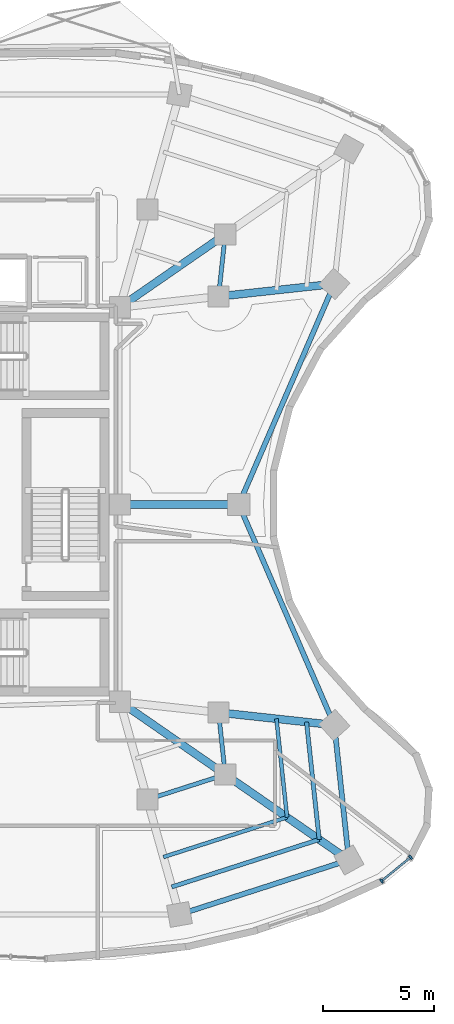
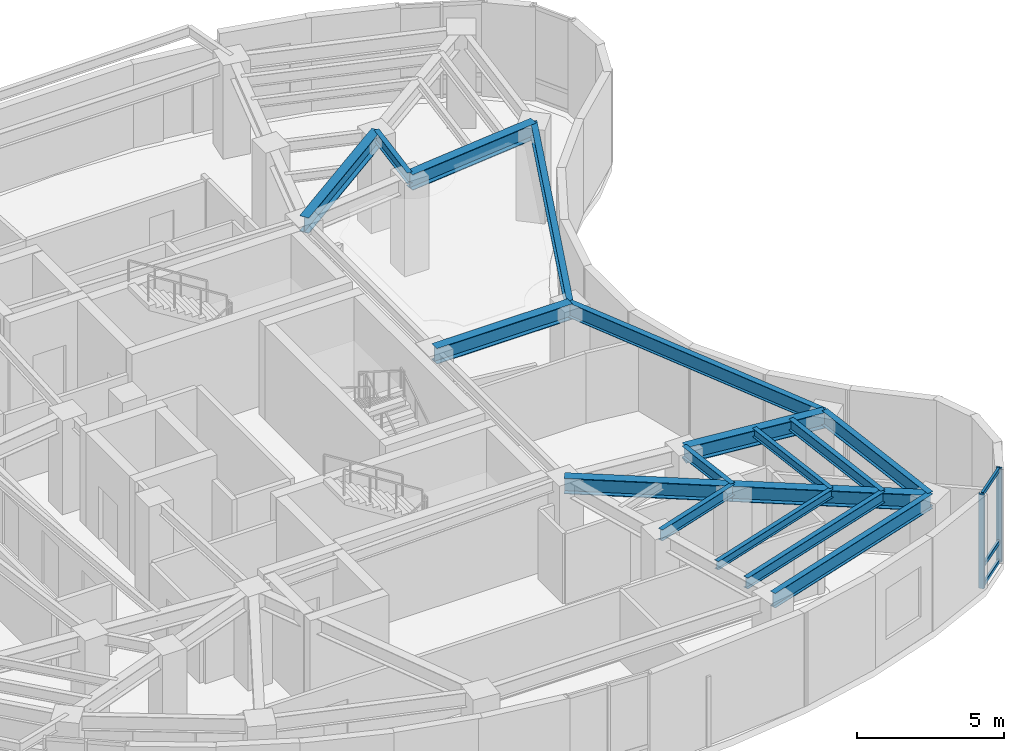
# One storey, part 4 of 12: 17 beams, 5 members, 1 element without a shape of its own.
"""IFC4 building model written with IfcOpenShell, lengths in metres."""

import ifcopenshell
import ifcopenshell.guid

model = None  # the IFC model being written
_history = None  # IfcOwnerHistory: only IFC2X3 demands one
_inside = {}  # id of a spatial element -> (the spatial element, [elements in it])
_under = {}  # id of a project, library or spatial element -> (it, [spatial elements below it])
_declared = {}  # id of a project -> (the project, [libraries it declares])
_typed = {}  # id of a type object -> (the type object, [elements of that type])
_made_of = {}  # id of a material, layer set ... -> (it, [elements and type objects made of it])


def new_model(schema):
    """Start an empty IFC model of exactly this schema.

    Asked for "IFC4X3", IfcOpenShell would pick the latest addendum, in which some entities
    have other attributes; the version numbers below select the first issue.
    IFC2X3 requires an IfcOwnerHistory on every rooted entity: one is made here for all.
    """
    global model, _history
    if schema == "IFC4X3":
        model = ifcopenshell.file(schema_version=(4, 3, 0, 0))
    else:
        model = ifcopenshell.file(schema=schema)
    _inside.clear()
    _under.clear()
    _declared.clear()
    _typed.clear()
    _made_of.clear()
    _history = None
    if model.schema == "IFC2X3":
        org = make("IfcOrganization", Name="unknown")
        user = make(
            "IfcPersonAndOrganization",
            ThePerson=make("IfcPerson", FamilyName="unknown"),
            TheOrganization=org,
        )
        app = make(
            "IfcApplication",
            ApplicationDeveloper=org,
            Version="unknown",
            ApplicationFullName="unknown",
            ApplicationIdentifier="unknown",
        )
        _history = make(
            "IfcOwnerHistory",
            OwningUser=user,
            OwningApplication=app,
            ChangeAction="ADDED",
            CreationDate=0,
        )
    return model


def make(cls, **values):
    """One entity of the class cls with the attributes given. An attribute that is None is left unset."""
    return model.create_entity(
        cls, **{name: value for name, value in values.items() if value is not None}
    )


def rooted(cls, **values):
    """An entity with a GlobalId (a new one), such as an element, a storey or a relation."""
    return make(cls, GlobalId=ifcopenshell.guid.new(), OwnerHistory=_history, **values)


def si_unit(unit_type, name, prefix=None):
    """IfcSIUnit, for example si_unit("LENGTHUNIT", "METRE", prefix="MILLI")."""
    return make("IfcSIUnit", UnitType=unit_type, Prefix=prefix, Name=name)


def assignment(units):
    """IfcUnitAssignment: the units of a project."""
    return None if units is None else make("IfcUnitAssignment", Units=units)


def point(xyz):
    """IfcCartesianPoint."""
    return None if xyz is None else make("IfcCartesianPoint", Coordinates=xyz)


def direction(xyz):
    """IfcDirection."""
    return None if xyz is None else make("IfcDirection", DirectionRatios=xyz)


def frame(location, z_axis=None, x_axis=None):
    """IfcAxis2Placement3D, a coordinate frame: its origin and axes. An axis left out is left unset."""
    return make(
        "IfcAxis2Placement3D",
        Location=point(location),
        Axis=direction(z_axis),
        RefDirection=direction(x_axis),
    )


def frame_2d(location, x_axis=None):
    """IfcAxis2Placement2D, a coordinate frame in the plane: its origin and x axis."""
    return make(
        "IfcAxis2Placement2D", Location=point(location), RefDirection=direction(x_axis)
    )


def origin():
    """The frame at (0, 0, 0) with its axes left unset."""
    return frame((0.0, 0.0, 0.0))


def origin_2d():
    """The frame at (0, 0) in the plane with its x axis left unset."""
    return frame_2d((0.0, 0.0))


def place(relative_to, where):
    """IfcLocalPlacement: puts the frame where relative to a parent placement (None: the world)."""
    return make(
        "IfcLocalPlacement", PlacementRelTo=relative_to, RelativePlacement=where
    )


def context(
    kind, dimensions, precision=None, world=None, true_north=None, identifier=None
):
    """IfcGeometricRepresentationContext, for example the 3D "Model" context."""
    return make(
        "IfcGeometricRepresentationContext",
        ContextIdentifier=identifier,
        ContextType=kind,
        CoordinateSpaceDimension=dimensions,
        Precision=precision,
        WorldCoordinateSystem=world,
        TrueNorth=true_north,
    )


def subcontext(parent, identifier, kind, view, scale=None):
    """IfcGeometricRepresentationSubContext, for example "Body" below "Model"."""
    return make(
        "IfcGeometricRepresentationSubContext",
        ContextIdentifier=identifier,
        ContextType=kind,
        ParentContext=parent,
        TargetScale=scale,
        TargetView=view,
    )


def project(units=None, contexts=None):
    """IfcProject with its units and contexts."""
    return rooted(
        "IfcProject",
        Name="project",
        RepresentationContexts=contexts,
        UnitsInContext=assignment(units),
    )


def spatial(cls, under=None, at=None, **own):
    """A site, building, storey or space (cls), placed at a placement, below another one or the project."""
    s = rooted(cls, ObjectPlacement=at, **own)
    if under is not None:
        _under.setdefault(under.id(), (under, []))[1].append(s)
    return s


def profile(cls, at=None, kind="AREA", **sizes):
    """A parametric profile (cls). Its sizes go by their IFC names, for example OverallWidth=200.0."""
    return make(cls, ProfileType=kind, Position=at, **sizes)


def rectangle(**sizes):
    """IfcRectangleProfileDef."""
    return profile("IfcRectangleProfileDef", **sizes)


def i_section(**sizes):
    """IfcIShapeProfileDef."""
    return profile("IfcIShapeProfileDef", **sizes)


def extrude(swept, where, along, depth):
    """IfcExtrudedAreaSolid: the profile swept, set in the frame where, extruded along a direction by depth."""
    return make(
        "IfcExtrudedAreaSolid",
        SweptArea=swept,
        Position=where,
        ExtrudedDirection=direction(along),
        Depth=depth,
    )


def shape(context_of_items, identifier, shape_type, items):
    """IfcShapeRepresentation: the items that make up one representation, for example the "Body"."""
    return make(
        "IfcShapeRepresentation",
        ContextOfItems=context_of_items,
        RepresentationIdentifier=identifier,
        RepresentationType=shape_type,
        Items=items,
    )


def material(Name=None, Category=None):
    """IfcMaterial."""
    return make("IfcMaterial", Name=Name, Category=Category)


def layer(
    of_material, thickness, ventilated=None, Name=None, Category=None, Priority=None
):
    """IfcMaterialLayer: one layer of a wall or slab, of a material (None: an air gap)."""
    return make(
        "IfcMaterialLayer",
        Material=of_material,
        LayerThickness=thickness,
        IsVentilated=ventilated,
        Name=Name,
        Category=Category,
        Priority=Priority,
    )


def layer_set(layers, Name=None):
    """IfcMaterialLayerSet."""
    return make("IfcMaterialLayerSet", MaterialLayers=layers, LayerSetName=Name)


def material_profile(
    of_material, cross_section, Name=None, Category=None, Priority=None
):
    """IfcMaterialProfile: a cross section and its material."""
    return make(
        "IfcMaterialProfile",
        Name=Name,
        Material=of_material,
        Profile=cross_section,
        Priority=Priority,
        Category=Category,
    )


def profile_set(profiles, Name=None, composite=None):
    """IfcMaterialProfileSet."""
    return make(
        "IfcMaterialProfileSet",
        Name=Name,
        MaterialProfiles=profiles,
        CompositeProfile=composite,
    )


def made_of(thing, what):
    """Note that an element or type object is made of a material, layer set ...; save() writes the relation."""
    if what is not None:
        _made_of.setdefault(what.id(), (what, []))[1].append(thing)
    return thing


def type_object(cls, material=None, **own):
    """A type object (cls), such as IfcWallType, which elements share."""
    return made_of(rooted(cls, **own), material)


def element(
    cls,
    number,
    at=None,
    inside=None,
    cuts=None,
    type_object=None,
    material=None,
    context=None,
    identifier="Body",
    shape_type=None,
    held_by="IfcProductDefinitionShape",
    body=None,
    shapes=None,
    **own,
):
    """One element of the class cls, such as IfcWall. Its Tag is "e" and its number.

    at: its placement. inside: the storey or other place that contains it. cuts: it is an
    opening in that element (IfcRelVoidsElement). A single representation is given by context,
    identifier, shape_type and body (its items); several are given by shapes. held_by: the class
    of the entity that holds the representations. save() writes the other relations.
    """
    e = rooted(cls, Tag="e%d" % number, ObjectPlacement=at, **own)
    if body is not None:
        shapes = [shape(context, identifier, shape_type, body)]
    if shapes is not None:
        e.Representation = make(held_by, Representations=shapes)
    if inside is not None:
        _inside.setdefault(inside.id(), (inside, []))[1].append(e)
    if cuts is not None:
        rooted(
            "IfcRelVoidsElement", RelatingBuildingElement=cuts, RelatedOpeningElement=e
        )
    if type_object is not None:
        _typed.setdefault(type_object.id(), (type_object, []))[1].append(e)
    return made_of(e, material)


def aggregate(whole, parts):
    """IfcRelAggregates: a whole, such as a stair, and the parts it consists of."""
    return rooted("IfcRelAggregates", RelatingObject=whole, RelatedObjects=parts)


def save(model, path):
    """Write the relations noted so far, then the file.

    IfcRelAggregates (storeys below a building ...), IfcRelContainedInSpatialStructure (elements
    in a storey), IfcRelDefinesByType, IfcRelAssociatesMaterial and IfcRelDeclares: one each for
    every whole, place, type object, material and project.
    """
    for whole, parts in _under.values():
        aggregate(whole, parts)
    for where, things in _inside.values():
        rooted(
            "IfcRelContainedInSpatialStructure",
            RelatedElements=things,
            RelatingStructure=where,
        )
    for kind, things in _typed.values():
        rooted("IfcRelDefinesByType", RelatedObjects=things, RelatingType=kind)
    for what, things in _made_of.values():
        rooted("IfcRelAssociatesMaterial", RelatedObjects=things, RelatingMaterial=what)
    for by, libraries in _declared.values():
        rooted("IfcRelDeclares", RelatingContext=by, RelatedDefinitions=libraries)
    model.write(path)


model = new_model("IFC4")

# Units and contexts
model_context = context("Model", 3, precision=1e-05, world=origin(), true_north=direction((0.0, 1.0)))
body_context = subcontext(model_context, "Body", "Model", "MODEL_VIEW")
ifc_project = project(units=[si_unit("LENGTHUNIT", "METRE"), si_unit("AREAUNIT", "SQUARE_METRE"), si_unit("VOLUMEUNIT", "CUBIC_METRE"), si_unit("PLANEANGLEUNIT", "RADIAN"), si_unit("MASSUNIT", "GRAM", prefix="KILO")], contexts=[model_context])

# Site, building, storey
site_placement = place(None, origin())
site = spatial("IfcSite", under=ifc_project, at=site_placement, CompositionType="ELEMENT")
building_placement = place(site_placement, origin())
building = spatial("IfcBuilding", under=site, at=building_placement, Name="Korentha Bioscience Tower", CompositionType="ELEMENT")
storey_placement = place(building_placement, frame((0.0, 0.0, 179.39990234375)))
storey = spatial("IfcBuildingStorey", under=building, at=storey_placement, Name="L41", CompositionType="ELEMENT", Elevation=179.39990234375)

# Beams
ifc_material_1 = material(Name="Steel S355", Category="steel")
ifc_material_profile_1 = material_profile(ifc_material_1, i_section(OverallWidth=0.18994140625, OverallDepth=0.45703125, WebThickness=0.009033203125, FlangeThickness=0.014404296875, at=origin_2d()), Name="Steel S355")
ifc_profile_set_1 = profile_set([ifc_material_profile_1], Name="Steel S355 (MB-460)")
beam_type_1 = type_object("IfcBeamType", Name="Mid-Ring Tie Girder W460x74", PredefinedType="BEAM", material=ifc_profile_set_1)
beam_1_placement = place(storey_placement, frame((38.77880859375, 13.7587890625, 3.671630859375), z_axis=(0.952000195343, 0.306097415976, 0.0), x_axis=(-0.306097415976, 0.952000195343, 0.0)))
element("IfcBeam", 1, at=beam_1_placement, inside=storey, type_object=beam_type_1, Name="L41 Mid-Ring Tie Girder 12", PredefinedType="BEAM", context=body_context, shape_type="SweptSolid", body=[
    extrude(i_section(OverallWidth=0.18994140625, OverallDepth=0.45703125, WebThickness=0.009033203125, FlangeThickness=0.014404296875, at=origin_2d()), origin(), (0.0, 0.0, 1.0), 3.672119140625),
])
for number, where, z_axis, x_axis, name in (
    (2, (42.274658203125, 14.8828125, 3.671630859375), (-0.107283940056, 0.99422842255, 0.0), (-0.99422842255, -0.107283940056, 0.0), "L41 Mid-Ring Tie Girder 13"),
    (3, (41.97412109375, 36.33203125, 3.671630859375), (0.107283940056, 0.99422842255, 0.0), (-0.99422842255, 0.107283940056, 0.0), "L41 Mid-Ring Tie Girder 16"),
):
    element("IfcBeam", number, at=place(storey_placement, frame(where, z_axis=z_axis, x_axis=x_axis)), inside=storey, type_object=beam_type_1, Name=name, PredefinedType="BEAM", context=body_context, shape_type="SweptSolid", body=[
        extrude(i_section(OverallWidth=0.18994140625, OverallDepth=0.45703125, WebThickness=0.009033203125, FlangeThickness=0.014404296875, at=origin_2d()), origin(), (0.0, 0.0, 1.0), 2.80126953125),
    ])

# Curtain wall, members
ifc_material_2 = material(Name="Thermally Broken Aluminium Frame", Category="aluminium")
ifc_layer = layer(ifc_material_2, 0.219970703125, Name="Thermally Broken Aluminium Frame")
ifc_layer_set = layer_set([ifc_layer], Name="Thermally Broken Aluminium Frame (CW-T1)")
curtain_wall_type = type_object("IfcCurtainWallType", Name="Standard Bioscience Lab Unitised Curtain Wall CW-T1", PredefinedType="USERDEFINED", material=ifc_layer_set)
curtain_wall_placement = place(storey_placement, origin())
curtain_wall = element("IfcCurtainWall", 4, at=curtain_wall_placement, inside=storey, type_object=curtain_wall_type, Name="L41 Curtain Wall 37", ObjectType="UNITISED", PredefinedType="USERDEFINED")
ifc_material_3 = material(Name="Anodised Aluminium 6063-T6", Category="aluminium")
ifc_material_profile_2 = material_profile(ifc_material_3, rectangle(XDim=0.090087890625, YDim=0.199951171875, at=origin_2d()), Name="Anodised Aluminium 6063-T6")
ifc_profile_set_2 = profile_set([ifc_material_profile_2], Name="Anodised Aluminium 6063-T6 (CW-MUL)")
member_type_1 = type_object("IfcMemberType", Name="Mullion RECT 90x200", PredefinedType="MULLION", material=ifc_profile_set_2)
member_1_placement = place(storey_placement, frame((49.28759765625, 10.105224609375, 0.0), z_axis=(0.0, 0.0, 1.0), x_axis=(0.77425646139, 0.632871971251, 0.0)))
member_1 = element("IfcMember", 5, at=member_1_placement, type_object=member_type_1, Name="CW-L41-37 Mullion 1", PredefinedType="MULLION", context=body_context, shape_type="SweptSolid", body=[
    extrude(rectangle(XDim=0.090087890625, YDim=0.199951171875, at=origin_2d()), origin(), (0.0, 0.0, 1.0), 3.900146484375),
])
member_2_placement = place(storey_placement, frame((50.58984375, 11.169677734375, 0.0), z_axis=(0.0, 0.0, 1.0), x_axis=(0.77425646139, 0.632871971251, 0.0)))
member_2 = element("IfcMember", 6, at=member_2_placement, type_object=member_type_1, Name="CW-L41-37 Mullion 2", PredefinedType="MULLION", context=body_context, shape_type="SweptSolid", body=[
    extrude(rectangle(XDim=0.090087890625, YDim=0.199951171875, at=origin_2d()), origin(), (0.0, 0.0, 1.0), 3.900146484375),
])

# Beams
ifc_material_profile_3 = material_profile(ifc_material_1, i_section(OverallWidth=0.22802734375, OverallDepth=0.60791015625, WebThickness=0.01123046875, FlangeThickness=0.017333984375, at=origin_2d()), Name="Steel S355")
ifc_profile_set_3 = profile_set([ifc_material_profile_3], Name="Steel S355 (SB-610)")
beam_type_2 = type_object("IfcBeamType", Name="Perimeter Ring Spandrel Girder W610x113", PredefinedType="SPANDREL", material=ifc_profile_set_3)
beam_2_placement = place(storey_placement, frame((40.22119140625, 8.60400390625, 3.59619140625), z_axis=(0.952008512555, 0.306071547228, 0.0), x_axis=(-0.306071547228, 0.952008512555, 0.0)))
element("IfcBeam", 7, at=beam_2_placement, inside=storey, type_object=beam_type_2, Name="L41 Perimeter Spandrel Girder 12", PredefinedType="SPANDREL", context=body_context, shape_type="SweptSolid", body=[
    extrude(i_section(OverallWidth=0.22802734375, OverallDepth=0.60791015625, WebThickness=0.01123046875, FlangeThickness=0.017333984375, at=origin_2d()), origin(), (0.0, 0.0, 1.0), 7.98291015625),
])
beam_3_placement = place(storey_placement, frame((47.821044921875, 11.04736328125, 3.59619140625), z_axis=(-0.10732012232, 0.994224517574, 0.0), x_axis=(-0.994224517574, -0.10732012232, 0.0)))
element("IfcBeam", 8, at=beam_3_placement, inside=storey, type_object=beam_type_2, Name="L41 Perimeter Spandrel Girder 13", PredefinedType="SPANDREL", context=body_context, shape_type="SweptSolid", body=[
    extrude(i_section(OverallWidth=0.22802734375, OverallDepth=0.60791015625, WebThickness=0.01123046875, FlangeThickness=0.017333984375, at=origin_2d()), origin(), (0.0, 0.0, 1.0), 6.08984375),
])
for number, where, z_axis, x_axis, name in (
    (9, (47.16748046875, 17.10205078125, 3.59619140625), (-0.397336815315, 0.917672847585, 0.0), (-0.917672847585, -0.397336815315, 0.0), "L41 Perimeter Spandrel Girder 14"),
    (10, (42.8818359375, 27.0, 3.59619140625), (0.397336815315, 0.917672847585, 0.0), (-0.917672847585, 0.397336815315, 0.0), "L41 Perimeter Spandrel Girder 15"),
):
    element("IfcBeam", number, at=place(storey_placement, frame(where, z_axis=z_axis, x_axis=x_axis)), inside=storey, type_object=beam_type_2, Name=name, PredefinedType="SPANDREL", context=body_context, shape_type="SweptSolid", body=[
        extrude(i_section(OverallWidth=0.22802734375, OverallDepth=0.60791015625, WebThickness=0.01123046875, FlangeThickness=0.017333984375, at=origin_2d()), origin(), (0.0, 0.0, 1.0), 10.785888671875),
    ])
ifc_material_profile_4 = material_profile(ifc_material_1, i_section(OverallWidth=0.18994140625, OverallDepth=0.45703125, WebThickness=0.009033203125, FlangeThickness=0.014404296875, at=origin_2d()), Name="Steel S355")
ifc_profile_set_4 = profile_set([ifc_material_profile_4], Name="Steel S355 (RB-460)")
beam_type_3 = type_object("IfcBeamType", Name="Radial Laboratory Beam W460x74", PredefinedType="BEAM", material=ifc_profile_set_4)
beam_4_placement = place(storey_placement, frame((39.875, 9.84130859375, 3.671630859375), z_axis=(0.952009183817, 0.306069459318, 0.0), x_axis=(-0.306069459318, 0.952009183817, 0.0)))
element("IfcBeam", 11, at=beam_4_placement, inside=storey, type_object=beam_type_3, Name="L41 Secondary Floor Beam JSTO-12", PredefinedType="BEAM", context=body_context, shape_type="SweptSolid", body=[
    extrude(i_section(OverallWidth=0.18994140625, OverallDepth=0.45703125, WebThickness=0.009033203125, FlangeThickness=0.014404296875, at=origin_2d()), origin(), (0.0, 0.0, 1.0), 6.948486328125),
])
beam_5_placement = place(storey_placement, frame((46.489990234375, 11.968017578125, 3.671630859375), z_axis=(-0.107321875607, 0.994224328316, 0.0), x_axis=(-0.994224328316, -0.107321875607, 0.0)))
element("IfcBeam", 12, at=beam_5_placement, inside=storey, type_object=beam_type_3, Name="L41 Secondary Floor Beam JSTO-13", PredefinedType="BEAM", context=body_context, shape_type="SweptSolid", body=[
    extrude(i_section(OverallWidth=0.18994140625, OverallDepth=0.45703125, WebThickness=0.009033203125, FlangeThickness=0.014404296875, at=origin_2d()), origin(), (0.0, 0.0, 1.0), 5.30029296875),
])
ifc_material_profile_5 = material_profile(ifc_material_1, i_section(OverallWidth=0.35009765625, OverallDepth=0.64990234375, WebThickness=0.01611328125, FlangeThickness=0.02490234375, at=origin_2d()), Name="Steel S355")
ifc_profile_set_5 = profile_set([ifc_material_profile_5], Name="Steel S355 (RB-650)")
beam_type_4 = type_object("IfcBeamType", Name="Radial Laboratory Girder CVS 650x208", PredefinedType="BEAM", material=ifc_profile_set_5)
for number, where, z_axis, x_axis, name in (
    (13, (37.550048828125, 35.85009765625, 3.5751953125), (0.822501145898, 0.568763452584, 0.0), (-0.568763452584, 0.822501145898, 0.0), "L41 Inner Radial Girder 01"),
    (14, (37.550048828125, 18.14990234375, 3.5751953125), (0.822501145898, -0.568763452584, 0.0), (0.568763452584, 0.822501145898, 0.0), "L41 Inner Radial Girder 13"),
):
    element("IfcBeam", number, at=place(storey_placement, frame(where, z_axis=z_axis, x_axis=x_axis)), inside=storey, type_object=beam_type_4, Name=name, PredefinedType="BEAM", context=body_context, shape_type="SweptSolid", body=[
        extrude(i_section(OverallWidth=0.35009765625, OverallDepth=0.64990234375, WebThickness=0.01611328125, FlangeThickness=0.02490234375, at=origin_2d()), origin(), (0.0, 0.0, 1.0), 5.744140625),
    ])
beam_6_placement = place(storey_placement, frame((42.274658203125, 14.8828125, 3.5751953125), z_axis=(0.822494455845, -0.568773127094, 0.0), x_axis=(0.568773127094, 0.822494455845, 0.0)))
element("IfcBeam", 15, at=beam_6_placement, inside=storey, type_object=beam_type_4, Name="L41 Outer Radial Girder 13", PredefinedType="BEAM", context=body_context, shape_type="SweptSolid", body=[
    extrude(i_section(OverallWidth=0.35009765625, OverallDepth=0.64990234375, WebThickness=0.01611328125, FlangeThickness=0.02490234375, at=origin_2d()), origin(), (0.0, 0.0, 1.0), 6.743408203125),
])
beam_7_placement = place(storey_placement, frame((41.97412109375, 17.66796875, 3.5751953125), z_axis=(0.994115177281, -0.108328271011, 0.0), x_axis=(0.108328271011, 0.994115177281, 0.0)))
element("IfcBeam", 16, at=beam_7_placement, inside=storey, type_object=beam_type_4, Name="L41 Outer Radial Girder 14", PredefinedType="BEAM", context=body_context, shape_type="SweptSolid", body=[
    extrude(i_section(OverallWidth=0.35009765625, OverallDepth=0.64990234375, WebThickness=0.01611328125, FlangeThickness=0.02490234375, at=origin_2d()), origin(), (0.0, 0.0, 1.0), 5.22412109375),
])
beam_8_placement = place(storey_placement, frame((37.550048828125, 27.0, 3.5751953125), z_axis=(1.0, 0.0, 0.0), x_axis=(0.0, 1.0, 0.0)))
element("IfcBeam", 17, at=beam_8_placement, inside=storey, type_object=beam_type_4, Name="L41 Radial Girder 15", PredefinedType="BEAM", context=body_context, shape_type="SweptSolid", body=[
    extrude(i_section(OverallWidth=0.35009765625, OverallDepth=0.64990234375, WebThickness=0.01611328125, FlangeThickness=0.02490234375, at=origin_2d()), origin(), (0.0, 0.0, 1.0), 5.331787109375),
])
beam_9_placement = place(storey_placement, frame((41.97412109375, 36.33203125, 3.5751953125), z_axis=(0.994115177281, 0.108328271011, 0.0), x_axis=(-0.108328271011, 0.994115177281, 0.0)))
element("IfcBeam", 18, at=beam_9_placement, inside=storey, type_object=beam_type_4, Name="L41 Outer Radial Girder 16", PredefinedType="BEAM", context=body_context, shape_type="SweptSolid", body=[
    extrude(i_section(OverallWidth=0.35009765625, OverallDepth=0.64990234375, WebThickness=0.01611328125, FlangeThickness=0.02490234375, at=origin_2d()), origin(), (0.0, 0.0, 1.0), 5.22412109375),
])
ifc_material_profile_6 = material_profile(ifc_material_1, i_section(OverallWidth=0.1708984375, OverallDepth=0.35498046875, WebThickness=0.007080078125, FlangeThickness=0.01171875, at=origin_2d()), Name="Steel S355")
ifc_profile_set_6 = profile_set([ifc_material_profile_6], Name="Steel S355 (JB-360)")
beam_type_5 = type_object("IfcBeamType", Name="Secondary Laboratory Joist W360x51", PredefinedType="JOIST", material=ifc_profile_set_6)
beam_10_placement = place(storey_placement, frame((39.5, 11.181396484375, 3.72265625), z_axis=(0.952005892166, 0.306079697596, 0.0), x_axis=(-0.306079697596, 0.952005892166, 0.0)))
element("IfcBeam", 19, at=beam_10_placement, inside=storey, type_object=beam_type_5, Name="L41 Secondary Floor Beam JST-12", PredefinedType="JOIST", context=body_context, shape_type="SweptSolid", body=[
    extrude(i_section(OverallWidth=0.1708984375, OverallDepth=0.35498046875, WebThickness=0.007080078125, FlangeThickness=0.01171875, at=origin_2d()), origin(), (0.0, 0.0, 1.0), 5.82763671875),
])
beam_11_placement = place(storey_placement, frame((45.0478515625, 12.965087890625, 3.72265625), z_axis=(-0.107308722475, 0.994225748048, 0.0), x_axis=(-0.994225748048, -0.107308722475, 0.0)))
element("IfcBeam", 20, at=beam_11_placement, inside=storey, type_object=beam_type_5, Name="L41 Secondary Floor Beam JST-13", PredefinedType="JOIST", context=body_context, shape_type="SweptSolid", body=[
    extrude(i_section(OverallWidth=0.1708984375, OverallDepth=0.35498046875, WebThickness=0.007080078125, FlangeThickness=0.01171875, at=origin_2d()), origin(), (0.0, 0.0, 1.0), 4.445556640625),
])

# Member
ifc_material_profile_7 = material_profile(ifc_material_3, rectangle(XDim=0.090087890625, YDim=0.159912109375, at=origin_2d()), Name="Anodised Aluminium 6063-T6")
ifc_profile_set_7 = profile_set([ifc_material_profile_7], Name="Anodised Aluminium 6063-T6 (CW-TRN)")
member_type_2 = type_object("IfcMemberType", Name="Transom RECT 90x160", PredefinedType="USERDEFINED", material=ifc_profile_set_7)
member_3_placement = place(storey_placement, frame((49.322509765625, 10.1337890625, 0.045166015625), z_axis=(0.77427156069, 0.632853498297, 0.0), x_axis=(-0.632853498297, 0.77427156069, 0.0)))
member_3 = element("IfcMember", 21, at=member_3_placement, type_object=member_type_2, Name="CW-L41-37 Bay 1 Transom 1", ObjectType="TRANSOM", PredefinedType="USERDEFINED", context=body_context, shape_type="SweptSolid", body=[
    extrude(rectangle(XDim=0.090087890625, YDim=0.159912109375, at=origin_2d()), origin(), (0.0, 0.0, 1.0), 1.591796875),
])

member_4_placement = place(storey_placement, frame((49.322509765625, 10.1337890625, 0.85009765625), z_axis=(0.77427156069, 0.632853498297, 0.0), x_axis=(-0.632853498297, 0.77427156069, 0.0)))
member_4 = element("IfcMember", 22, at=member_4_placement, type_object=member_type_2, Name="CW-L41-37 Bay 1 Transom 2", ObjectType="TRANSOM", PredefinedType="USERDEFINED", context=body_context, shape_type="SweptSolid", body=[
    extrude(rectangle(XDim=0.090087890625, YDim=0.159912109375, at=origin_2d()), origin(), (0.0, 0.0, 1.0), 1.591796875),
])

member_5_placement = place(storey_placement, frame((49.322509765625, 10.1337890625, 3.85498046875), z_axis=(0.77427156069, 0.632853498297, 0.0), x_axis=(-0.632853498297, 0.77427156069, 0.0)))
member_5 = element("IfcMember", 23, at=member_5_placement, type_object=member_type_2, Name="CW-L41-37 Bay 1 Transom 3", ObjectType="TRANSOM", PredefinedType="USERDEFINED", context=body_context, shape_type="SweptSolid", body=[
    extrude(rectangle(XDim=0.090087890625, YDim=0.159912109375, at=origin_2d()), origin(), (0.0, 0.0, 1.0), 1.591796875),
])

aggregate(curtain_wall, [member_1, member_2, member_3, member_4, member_5])

save(model, "model.ifc")
